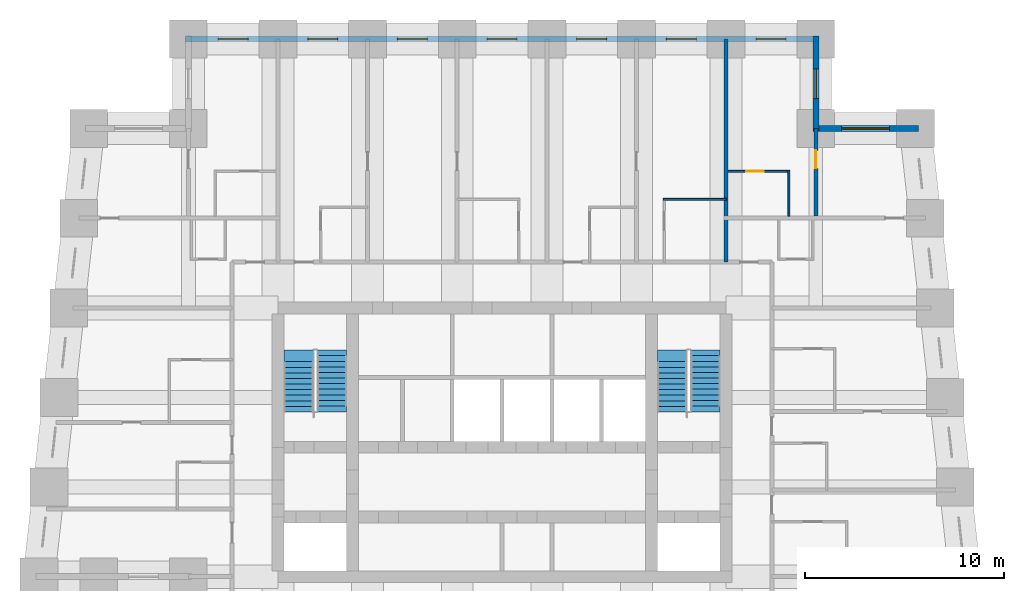
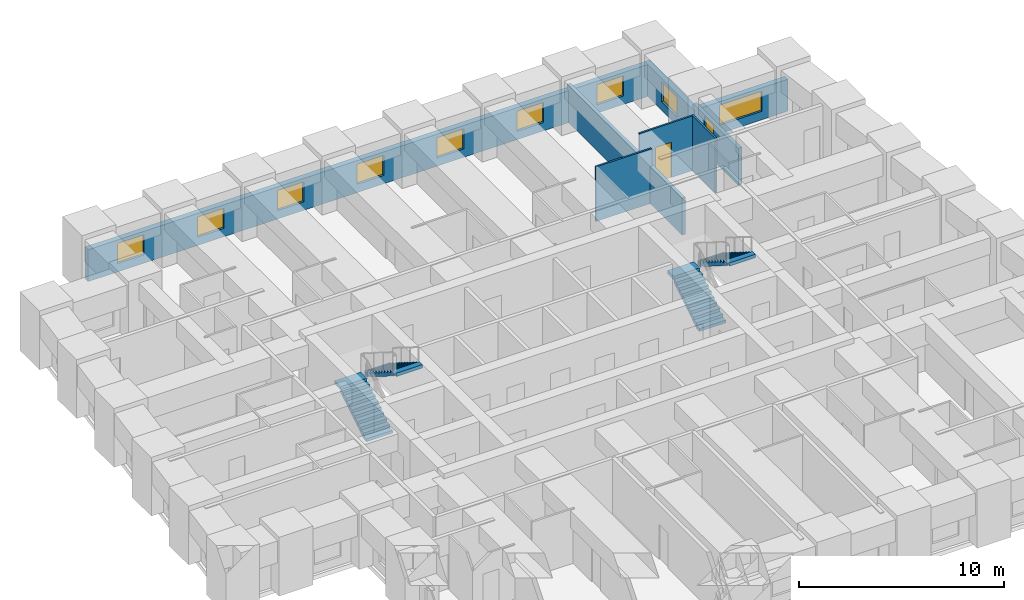
# One storey, part 7 of 8: 9 windows, 8 walls, 4 stair flights, 2 doors, 11 openings, 2 elements without a shape of their own.
"""IFC4 building model written with IfcOpenShell, lengths in metres."""

from ifc_helpers import new_model, si_unit, direction, frame, frame_2d, origin, place, context, subcontext, project, spatial, polyline, rectangle, outline, extrude, material, layer, layer_set, type_object, element, fill, aggregate, save


model = new_model("IFC4")

# Units and contexts
model_context = context("Model", 3, precision=1e-05, world=origin(), true_north=direction((0.0, 1.0)))
body_context = subcontext(model_context, "Body", "Model", "MODEL_VIEW")
ifc_project = project(units=[si_unit("LENGTHUNIT", "METRE"), si_unit("AREAUNIT", "SQUARE_METRE"), si_unit("VOLUMEUNIT", "CUBIC_METRE"), si_unit("PLANEANGLEUNIT", "RADIAN"), si_unit("MASSUNIT", "GRAM", prefix="KILO")], contexts=[model_context])

# Site, building, storey
site_placement = place(None, origin())
site = spatial("IfcSite", under=ifc_project, at=site_placement, CompositionType="ELEMENT")
building_placement = place(site_placement, origin())
building = spatial("IfcBuilding", under=site, at=building_placement, Name="Kilele Tower Hotel", CompositionType="ELEMENT")
storey_placement = place(building_placement, frame((0.0, 0.0, 207.89990234375)))
storey = spatial("IfcBuildingStorey", under=building, at=storey_placement, Name="L54", CompositionType="ELEMENT", Elevation=207.89990234375)

# Walls
ifc_material_1 = material(Name="Moisture-resistant board")
ifc_layer_1 = layer(ifc_material_1, 0.10009765625)
ifc_layer_set_1 = layer_set([ifc_layer_1], Name="Moisture-resistant board")
wall_type_1 = type_object("IfcWallType", Name="Bathroom partition 100", PredefinedType="PLUMBINGWALL", material=ifc_layer_set_1)
wall_1_placement = place(storey_placement, frame((32.85009765625, 32.449951171875, 0.0), z_axis=(0.0, 0.0, 1.0), x_axis=(1.0, 0.0, 0.0)))
element("IfcWall", 1, at=wall_1_placement, inside=storey, type_object=wall_type_1, Name="Bathroom partition 100 L54", PredefinedType="PLUMBINGWALL", context=body_context, shape_type="SweptSolid", body=[
    extrude(rectangle(XDim=3.14990234375, YDim=0.10009765625, at=frame_2d((1.574951171875, 0.0))), origin(), (0.0, 0.0, 1.0), 3.25),
])
wall_2_placement = place(storey_placement, frame((39.14990234375, 31.60009765625, 0.0), z_axis=(0.0, 0.0, 1.0), x_axis=(0.0, 1.0, 0.0)))
element("IfcWall", 2, at=wall_2_placement, inside=storey, type_object=wall_type_1, Name="Bathroom partition 100 L54", PredefinedType="PLUMBINGWALL", context=body_context, shape_type="SweptSolid", body=[
    extrude(rectangle(XDim=2.2998046875, YDim=0.10009765625, at=frame_2d((1.14990234375, 0.0))), origin(), (0.0, 0.0, 1.0), 3.25),
])

# Wall, opening, door
wall_3_placement = place(storey_placement, frame((36.10009765625, 33.85009765625, 0.0), z_axis=(0.0, 0.0, 1.0), x_axis=(1.0, 0.0, 0.0)))
wall_3 = element("IfcWall", 3, at=wall_3_placement, inside=storey, type_object=wall_type_1, Name="Bathroom partition 100 L54", PredefinedType="PLUMBINGWALL", context=body_context, shape_type="SweptSolid", body=[
    extrude(rectangle(XDim=3.099853515625, YDim=0.10009765625, at=frame_2d((1.5498046875, 0.0))), origin(), (0.0, 0.0, 1.0), 3.25),
])
opening_1_placement = place(wall_3_placement, frame((0.89990234375, 0.0, 0.0)))
opening_1 = element("IfcOpeningElement", 4, at=opening_1_placement, cuts=wall_3, Name="Opening D2A", PredefinedType="OPENING", context=body_context, shape_type="SweptSolid", body=[
    extrude(rectangle(XDim=0.89990234375, YDim=2.10009765625, at=frame_2d((0.449951171875, 1.050048828125))), frame((0.0, 0.06005859375, 0.0), z_axis=(0.0, -1.0, 0.0), x_axis=(1.0, 0.0, 0.0)), (0.0, 0.0, 1.0), 0.1201171875),
])
ifc_material_2 = material(Name="Timber door leaf in hardwood frame", Category="wood")
door_type_1 = type_object("IfcDoorType", Name="Bathroom door 900", OperationType="SINGLE_SWING_LEFT", PredefinedType="DOOR", material=ifc_material_2)
door_1_placement = place(opening_1_placement, origin())
door_1 = element("IfcDoor", 5, at=door_1_placement, inside=storey, type_object=door_type_1, Name="Bathroom door 5423B", OperationType="SINGLE_SWING_LEFT", OverallHeight=2.10009765625, OverallWidth=0.89990234375, PredefinedType="DOOR", context=body_context, shape_type="SweptSolid", body=[
    extrude(rectangle(XDim=0.89990234375, YDim=2.10009765625, at=frame_2d((0.449951171875, 1.050048828125))), frame((0.0, 0.02490234375, 0.0), z_axis=(0.0, -1.0, 0.0), x_axis=(1.0, 0.0, 0.0)), (0.0, 0.0, 1.0), 0.050048828125),
])
fill(opening_1, door_1)

ifc_material_3 = material(Name="Blockwork, plastered both sides", Category="masonry")
ifc_layer_2 = layer(ifc_material_3, 0.199951171875)
ifc_layer_set_2 = layer_set([ifc_layer_2], Name="Blockwork, plastered both sides")
wall_type_2 = type_object("IfcWallType", Name="Partition wall 200", PredefinedType="PARTITIONING", material=ifc_layer_set_2)
wall_4_placement = place(storey_placement, frame((40.5, 31.60009765625, 0.0), z_axis=(0.0, 0.0, 1.0), x_axis=(0.0, 1.0, 0.0)))
wall_4 = element("IfcWall", 6, at=wall_4_placement, inside=storey, type_object=wall_type_2, Name="Partition wall 200 L54", PredefinedType="PARTITIONING", context=body_context, shape_type="SweptSolid", body=[
    extrude(rectangle(XDim=4.39990234375, YDim=0.199951171875, at=frame_2d((2.199951171875, 0.0))), origin(), (0.0, 0.0, 1.0), 2.2001953125),
])
opening_2_placement = place(wall_4_placement, frame((2.39990234375, 0.0, 0.0)))
opening_2 = element("IfcOpeningElement", 7, at=opening_2_placement, cuts=wall_4, Name="Opening D3", PredefinedType="OPENING", context=body_context, shape_type="SweptSolid", body=[
    extrude(rectangle(XDim=0.89990234375, YDim=2.10009765625, at=frame_2d((0.449951171875, 1.050048828125))), frame((0.0, 0.10986328125, 0.0), z_axis=(0.0, -1.0, 0.0), x_axis=(1.0, 0.0, 0.0)), (0.0, 0.0, 1.0), 0.219970703125),
])
ifc_material_4 = material(Name="Timber door leaf in hardwood frame", Category="wood")
door_type_2 = type_object("IfcDoorType", Name="Suite internal door 900", OperationType="SINGLE_SWING_LEFT", PredefinedType="DOOR", material=ifc_material_4)
door_2_placement = place(opening_2_placement, origin())
door_2 = element("IfcDoor", 8, at=door_2_placement, inside=storey, type_object=door_type_2, Name="Suite door 5424", OperationType="SINGLE_SWING_RIGHT", OverallHeight=2.10009765625, OverallWidth=0.89990234375, PredefinedType="DOOR", context=body_context, shape_type="SweptSolid", body=[
    extrude(rectangle(XDim=0.89990234375, YDim=2.10009765625, at=frame_2d((0.449951171875, 1.050048828125))), frame((0.0, 0.02490234375, 0.0), z_axis=(0.0, -1.0, 0.0), x_axis=(1.0, 0.0, 0.0)), (0.0, 0.0, 1.0), 0.050048828125),
])
fill(opening_2, door_2)

# Wall
ifc_material_5 = material(Name="Blockwork, plastered both sides", Category="masonry")
ifc_layer_3 = layer(ifc_material_5, 0.199951171875)
ifc_layer_set_3 = layer_set([ifc_layer_3], Name="Blockwork, plastered both sides")
wall_type_3 = type_object("IfcWallType", Name="Party wall 200", PredefinedType="PARTITIONING", material=ifc_layer_set_3)
wall_5_placement = place(storey_placement, frame((36.0, 29.300048828125, 0.0), z_axis=(0.0, 0.0, 1.0), x_axis=(0.0, 1.0, 0.0)))
element("IfcWall", 9, at=wall_5_placement, inside=storey, type_object=wall_type_3, Name="Party wall 200 L54", PredefinedType="PARTITIONING", context=body_context, shape_type="SweptSolid", body=[
    extrude(rectangle(XDim=11.199951171875, YDim=0.199951171875, at=frame_2d((5.60009765625, 0.0))), origin(), (0.0, 0.0, 1.0), 2.2001953125),
])

# Wall, opening, window
ifc_material_6 = material(Name="Concrete C40/50 precast", Category="concrete")
ifc_layer_4 = layer(ifc_material_6, 0.260009765625, Name="Precast backing", Category="LoadBearing")
ifc_material_7 = material(Name="Reconstituted stone finish", Category="masonry")
ifc_layer_5 = layer(ifc_material_7, 0.0400390625, Name="Face mix", Category="Finish")
ifc_layer_set_4 = layer_set([ifc_layer_4, ifc_layer_5], Name="Precast concrete C40/50, reconstituted stone finish")
wall_type_4 = type_object("IfcWallType", Name="Precast stone facade wall 300", PredefinedType="STANDARD", material=ifc_layer_set_4)
wall_6_placement = place(storey_placement, frame((45.64990234375, 36.0, 0.0), z_axis=(0.0, 0.0, 1.0), x_axis=(-1.0, 0.0, 0.0)))
wall_6 = element("IfcWall", 10, at=wall_6_placement, inside=storey, type_object=wall_type_4, Name="Facade wall L54 edge 7", PredefinedType="STANDARD", context=body_context, shape_type="SweptSolid", body=[
    extrude(rectangle(XDim=5.2998046875, YDim=0.300048828125, at=frame_2d((2.64990234375, 0.0))), origin(), (0.0, 0.0, 1.0), 1.900146484375),
])
opening_3_placement = place(wall_6_placement, frame((1.449951171875, 0.0, 0.5)))
opening_3 = element("IfcOpeningElement", 11, at=opening_3_placement, cuts=wall_6, Name="Opening W3", PredefinedType="OPENING", context=body_context, shape_type="SweptSolid", body=[
    extrude(rectangle(XDim=2.39990234375, YDim=1.199951171875, at=frame_2d((1.199951171875, 0.60009765625))), frame((0.0, 0.159912109375, 0.0), z_axis=(0.0, -1.0, 0.0), x_axis=(1.0, 0.0, 0.0)), (0.0, 0.0, 1.0), 0.320068359375),
])
ifc_material_8 = material(Name="Aluminium frame, clear double glazing", Category="aluminium")
window_type_1 = type_object("IfcWindowType", Name="Window W3 2400 x 1200", PartitioningType="SINGLE_PANEL", PredefinedType="WINDOW", material=ifc_material_8)
window_1_placement = place(opening_3_placement, origin())
window_1 = element("IfcWindow", 12, at=window_1_placement, inside=storey, type_object=window_type_1, Name="Window L54", OverallHeight=1.199951171875, OverallWidth=2.39990234375, PartitioningType="SINGLE_PANEL", PredefinedType="WINDOW", context=body_context, shape_type="SweptSolid", body=[
    extrude(rectangle(XDim=2.39990234375, YDim=1.199951171875, at=frame_2d((1.199951171875, 0.60009765625))), frame((0.0, 0.030029296875, 0.0), z_axis=(0.0, -1.0, 0.0), x_axis=(1.0, 0.0, 0.0)), (0.0, 0.0, 1.0), 0.06005859375),
])
fill(opening_3, window_1)

wall_7_placement = place(storey_placement, frame((40.5, 35.85009765625, 0.0), z_axis=(0.0, 0.0, 1.0), x_axis=(0.0, 1.0, 0.0)))
wall_7 = element("IfcWall", 13, at=wall_7_placement, inside=storey, type_object=wall_type_4, Name="Facade wall L54 edge 8", PredefinedType="STANDARD", context=body_context, shape_type="SweptSolid", body=[
    extrude(rectangle(XDim=4.7998046875, YDim=0.300048828125, at=frame_2d((2.39990234375, 0.0))), origin(), (0.0, 0.0, 1.0), 1.900146484375),
])
opening_4_placement = place(wall_7_placement, frame((1.64990234375, 0.0, 0.5)))
opening_4 = element("IfcOpeningElement", 14, at=opening_4_placement, cuts=wall_7, Name="Opening W3", PredefinedType="OPENING", context=body_context, shape_type="SweptSolid", body=[
    extrude(rectangle(XDim=1.5, YDim=1.199951171875, at=frame_2d((0.75, 0.60009765625))), frame((0.0, 0.159912109375, 0.0), z_axis=(0.0, -1.0, 0.0), x_axis=(1.0, 0.0, 0.0)), (0.0, 0.0, 1.0), 0.320068359375),
])
ifc_material_9 = material(Name="Aluminium frame, clear double glazing", Category="aluminium")
window_type_2 = type_object("IfcWindowType", Name="Window W3 1500 x 1200", PartitioningType="SINGLE_PANEL", PredefinedType="WINDOW", material=ifc_material_9)
window_2_placement = place(opening_4_placement, origin())
window_2 = element("IfcWindow", 15, at=window_2_placement, inside=storey, type_object=window_type_2, Name="Window L54", OverallHeight=1.199951171875, OverallWidth=1.5, PartitioningType="SINGLE_PANEL", PredefinedType="WINDOW", context=body_context, shape_type="SweptSolid", body=[
    extrude(rectangle(XDim=1.5, YDim=1.199951171875, at=frame_2d((0.75, 0.60009765625))), frame((0.0, 0.030029296875, 0.0), z_axis=(0.0, -1.0, 0.0), x_axis=(1.0, 0.0, 0.0)), (0.0, 0.0, 1.0), 0.06005859375),
])
fill(opening_4, window_2)

# Wall, openings, windows
wall_8_placement = place(storey_placement, frame((40.64990234375, 40.5, 0.0), z_axis=(0.0, 0.0, 1.0), x_axis=(-1.0, 0.0, 0.0)))
wall_8 = element("IfcWall", 16, at=wall_8_placement, inside=storey, type_object=wall_type_4, Name="Facade wall L54 edge 9", PredefinedType="STANDARD", context=body_context, shape_type="SweptSolid", body=[
    extrude(rectangle(XDim=31.7998046875, YDim=0.300048828125, at=frame_2d((15.89990234375, 0.0))), origin(), (0.0, 0.0, 1.0), 1.900146484375),
])
opening_5_placement = place(wall_8_placement, frame((1.64990234375, 0.0, 0.5)))
opening_5 = element("IfcOpeningElement", 17, at=opening_5_placement, cuts=wall_8, Name="Opening W3", PredefinedType="OPENING", context=body_context, shape_type="SweptSolid", body=[
    extrude(rectangle(XDim=1.5, YDim=1.199951171875, at=frame_2d((0.75, 0.60009765625))), frame((0.0, 0.159912109375, 0.0), z_axis=(0.0, -1.0, 0.0), x_axis=(1.0, 0.0, 0.0)), (0.0, 0.0, 1.0), 0.320068359375),
])
opening_6_placement = place(wall_8_placement, frame((6.14990234375, 0.0, 0.5)))
opening_6 = element("IfcOpeningElement", 18, at=opening_6_placement, cuts=wall_8, Name="Opening W3", PredefinedType="OPENING", context=body_context, shape_type="SweptSolid", body=[
    extrude(rectangle(XDim=1.5, YDim=1.199951171875, at=frame_2d((0.75, 0.60009765625))), frame((0.0, 0.159912109375, 0.0), z_axis=(0.0, -1.0, 0.0), x_axis=(1.0, 0.0, 0.0)), (0.0, 0.0, 1.0), 0.320068359375),
])
opening_7_placement = place(wall_8_placement, frame((10.64990234375, 0.0, 0.5)))
opening_7 = element("IfcOpeningElement", 19, at=opening_7_placement, cuts=wall_8, Name="Opening W3", PredefinedType="OPENING", context=body_context, shape_type="SweptSolid", body=[
    extrude(rectangle(XDim=1.5, YDim=1.199951171875, at=frame_2d((0.75, 0.60009765625))), frame((0.0, 0.159912109375, 0.0), z_axis=(0.0, -1.0, 0.0), x_axis=(1.0, 0.0, 0.0)), (0.0, 0.0, 1.0), 0.320068359375),
])
opening_8_placement = place(wall_8_placement, frame((15.14990234375, 0.0, 0.5)))
opening_8 = element("IfcOpeningElement", 20, at=opening_8_placement, cuts=wall_8, Name="Opening W3", PredefinedType="OPENING", context=body_context, shape_type="SweptSolid", body=[
    extrude(rectangle(XDim=1.5, YDim=1.199951171875, at=frame_2d((0.75, 0.60009765625))), frame((0.0, 0.159912109375, 0.0), z_axis=(0.0, -1.0, 0.0), x_axis=(1.0, 0.0, 0.0)), (0.0, 0.0, 1.0), 0.320068359375),
])
opening_9_placement = place(wall_8_placement, frame((19.64990234375, 0.0, 0.5)))
opening_9 = element("IfcOpeningElement", 21, at=opening_9_placement, cuts=wall_8, Name="Opening W3", PredefinedType="OPENING", context=body_context, shape_type="SweptSolid", body=[
    extrude(rectangle(XDim=1.5, YDim=1.199951171875, at=frame_2d((0.75, 0.60009765625))), frame((0.0, 0.159912109375, 0.0), z_axis=(0.0, -1.0, 0.0), x_axis=(1.0, 0.0, 0.0)), (0.0, 0.0, 1.0), 0.320068359375),
])
opening_10_placement = place(wall_8_placement, frame((24.14990234375, 0.0, 0.5)))
opening_10 = element("IfcOpeningElement", 22, at=opening_10_placement, cuts=wall_8, Name="Opening W3", PredefinedType="OPENING", context=body_context, shape_type="SweptSolid", body=[
    extrude(rectangle(XDim=1.5, YDim=1.199951171875, at=frame_2d((0.75, 0.60009765625))), frame((0.0, 0.159912109375, 0.0), z_axis=(0.0, -1.0, 0.0), x_axis=(1.0, 0.0, 0.0)), (0.0, 0.0, 1.0), 0.320068359375),
])
opening_11_placement = place(wall_8_placement, frame((28.64990234375, 0.0, 0.5)))
opening_11 = element("IfcOpeningElement", 23, at=opening_11_placement, cuts=wall_8, Name="Opening W3", PredefinedType="OPENING", context=body_context, shape_type="SweptSolid", body=[
    extrude(rectangle(XDim=1.5, YDim=1.199951171875, at=frame_2d((0.75, 0.60009765625))), frame((0.0, 0.159912109375, 0.0), z_axis=(0.0, -1.0, 0.0), x_axis=(1.0, 0.0, 0.0)), (0.0, 0.0, 1.0), 0.320068359375),
])
window_3_placement = place(opening_5_placement, origin())
window_3 = element("IfcWindow", 24, at=window_3_placement, inside=storey, type_object=window_type_2, Name="Window L54", OverallHeight=1.199951171875, OverallWidth=1.5, PartitioningType="SINGLE_PANEL", PredefinedType="WINDOW", context=body_context, shape_type="SweptSolid", body=[
    extrude(rectangle(XDim=1.5, YDim=1.199951171875, at=frame_2d((0.75, 0.60009765625))), frame((0.0, 0.030029296875, 0.0), z_axis=(0.0, -1.0, 0.0), x_axis=(1.0, 0.0, 0.0)), (0.0, 0.0, 1.0), 0.06005859375),
])
fill(opening_5, window_3)
window_4_placement = place(opening_6_placement, origin())
window_4 = element("IfcWindow", 25, at=window_4_placement, inside=storey, type_object=window_type_2, Name="Window L54", OverallHeight=1.199951171875, OverallWidth=1.5, PartitioningType="SINGLE_PANEL", PredefinedType="WINDOW", context=body_context, shape_type="SweptSolid", body=[
    extrude(rectangle(XDim=1.5, YDim=1.199951171875, at=frame_2d((0.75, 0.60009765625))), frame((0.0, 0.030029296875, 0.0), z_axis=(0.0, -1.0, 0.0), x_axis=(1.0, 0.0, 0.0)), (0.0, 0.0, 1.0), 0.06005859375),
])
fill(opening_6, window_4)
window_5_placement = place(opening_7_placement, origin())
window_5 = element("IfcWindow", 26, at=window_5_placement, inside=storey, type_object=window_type_2, Name="Window L54", OverallHeight=1.199951171875, OverallWidth=1.5, PartitioningType="SINGLE_PANEL", PredefinedType="WINDOW", context=body_context, shape_type="SweptSolid", body=[
    extrude(rectangle(XDim=1.5, YDim=1.199951171875, at=frame_2d((0.75, 0.60009765625))), frame((0.0, 0.030029296875, 0.0), z_axis=(0.0, -1.0, 0.0), x_axis=(1.0, 0.0, 0.0)), (0.0, 0.0, 1.0), 0.06005859375),
])
fill(opening_7, window_5)
window_6_placement = place(opening_8_placement, origin())
window_6 = element("IfcWindow", 27, at=window_6_placement, inside=storey, type_object=window_type_2, Name="Window L54", OverallHeight=1.199951171875, OverallWidth=1.5, PartitioningType="SINGLE_PANEL", PredefinedType="WINDOW", context=body_context, shape_type="SweptSolid", body=[
    extrude(rectangle(XDim=1.5, YDim=1.199951171875, at=frame_2d((0.75, 0.60009765625))), frame((0.0, 0.030029296875, 0.0), z_axis=(0.0, -1.0, 0.0), x_axis=(1.0, 0.0, 0.0)), (0.0, 0.0, 1.0), 0.06005859375),
])
fill(opening_8, window_6)
window_7_placement = place(opening_9_placement, origin())
window_7 = element("IfcWindow", 28, at=window_7_placement, inside=storey, type_object=window_type_2, Name="Window L54", OverallHeight=1.199951171875, OverallWidth=1.5, PartitioningType="SINGLE_PANEL", PredefinedType="WINDOW", context=body_context, shape_type="SweptSolid", body=[
    extrude(rectangle(XDim=1.5, YDim=1.199951171875, at=frame_2d((0.75, 0.60009765625))), frame((0.0, 0.030029296875, 0.0), z_axis=(0.0, -1.0, 0.0), x_axis=(1.0, 0.0, 0.0)), (0.0, 0.0, 1.0), 0.06005859375),
])
fill(opening_9, window_7)
window_8_placement = place(opening_10_placement, origin())
window_8 = element("IfcWindow", 29, at=window_8_placement, inside=storey, type_object=window_type_2, Name="Window L54", OverallHeight=1.199951171875, OverallWidth=1.5, PartitioningType="SINGLE_PANEL", PredefinedType="WINDOW", context=body_context, shape_type="SweptSolid", body=[
    extrude(rectangle(XDim=1.5, YDim=1.199951171875, at=frame_2d((0.75, 0.60009765625))), frame((0.0, 0.030029296875, 0.0), z_axis=(0.0, -1.0, 0.0), x_axis=(1.0, 0.0, 0.0)), (0.0, 0.0, 1.0), 0.06005859375),
])
fill(opening_10, window_8)
window_9_placement = place(opening_11_placement, origin())
window_9 = element("IfcWindow", 30, at=window_9_placement, inside=storey, type_object=window_type_2, Name="Window L54", OverallHeight=1.199951171875, OverallWidth=1.5, PartitioningType="SINGLE_PANEL", PredefinedType="WINDOW", context=body_context, shape_type="SweptSolid", body=[
    extrude(rectangle(XDim=1.5, YDim=1.199951171875, at=frame_2d((0.75, 0.60009765625))), frame((0.0, 0.030029296875, 0.0), z_axis=(0.0, -1.0, 0.0), x_axis=(1.0, 0.0, 0.0)), (0.0, 0.0, 1.0), 0.06005859375),
])
fill(opening_11, window_9)

# Stair, stair flights
ifc_material_10 = material(Name="Precast concrete C40/50", Category="concrete")
stair_type = type_object("IfcStairType", Name="Stair 1475 x 3500", PredefinedType="HALF_TURN_STAIR", material=ifc_material_10)
stair_1_placement = place(storey_placement, origin())
stair_1 = element("IfcStair", 31, at=stair_1_placement, inside=storey, type_object=stair_type, Name="Stair 1 L54", PredefinedType="HALF_TURN_STAIR")
ifc_material_11 = material(Name="Precast concrete C40/50", Category="concrete")
stair_flight_type = type_object("IfcStairFlightType", Name="Flight 1475 riser 175.0", PredefinedType="STRAIGHT", material=ifc_material_11)
stair_flight_1_placement = place(storey_placement, frame((14.53759765625, 21.77490234375, 0.0), z_axis=(0.0, 0.0, 1.0), x_axis=(0.0, 1.0, 0.0)))
stair_flight_1 = element("IfcStairFlight", 32, at=stair_flight_1_placement, type_object=stair_flight_type, Name="ST1 flight 1", NumberOfRisers=10, NumberOfTreads=9, PredefinedType="STRAIGHT", RiserHeight=0.175, TreadLength=0.28, context=body_context, shape_type="SweptSolid", body=[
    extrude(outline(polyline([(0.0, 0.0), (0.0, 0.175048828125), (0.280029296875, 0.175048828125), (0.280029296875, 0.35009765625), (0.56005859375, 0.35009765625), (0.56005859375, 0.52490234375), (0.840087890625, 0.52490234375), (0.840087890625, 0.699951171875), (1.1201171875, 0.699951171875), (1.1201171875, 0.875), (1.39990234375, 0.875), (1.39990234375, 1.050048828125), (1.679931640625, 1.050048828125), (1.679931640625, 1.22509765625), (1.9599609375, 1.22509765625), (1.9599609375, 1.39990234375), (2.239990234375, 1.39990234375), (2.239990234375, 1.574951171875), (2.52001953125, 1.574951171875), (2.52001953125, 1.75), (2.52001953125, 1.398193359375), (0.28271484375, 0.0), (0.0, 0.0)])), frame((0.0, 0.737548828125, 0.0), z_axis=(0.0, -1.0, 0.0), x_axis=(1.0, 0.0, 0.0)), (0.0, 0.0, 1.0), 1.47509765625),
    extrude(outline(polyline([(2.52001953125, 0.737548828125), (2.52001953125, -0.7373046875), (3.1201171875, -0.7373046875), (3.1201171875, 0.737548828125), (2.52001953125, 0.737548828125)])), frame((0.0, 0.0, 1.550048828125)), (0.0, 0.0, 1.0), 0.199951171875),
])
stair_flight_2_placement = place(storey_placement, frame((16.21240234375, 24.594970703125, 1.75), z_axis=(0.0, 0.0, 1.0), x_axis=(0.0, -1.0, 0.0)))
stair_flight_2 = element("IfcStairFlight", 33, at=stair_flight_2_placement, type_object=stair_flight_type, Name="ST1 flight 2", NumberOfRisers=10, NumberOfTreads=9, PredefinedType="STRAIGHT", RiserHeight=0.175, TreadLength=0.28, context=body_context, shape_type="SweptSolid", body=[
    extrude(outline(polyline([(0.0, 0.0), (0.0, 0.175048828125), (0.280029296875, 0.175048828125), (0.280029296875, 0.35009765625), (0.56005859375, 0.35009765625), (0.56005859375, 0.52490234375), (0.840087890625, 0.52490234375), (0.840087890625, 0.699951171875), (1.1201171875, 0.699951171875), (1.1201171875, 0.875), (1.39990234375, 0.875), (1.39990234375, 1.050048828125), (1.679931640625, 1.050048828125), (1.679931640625, 1.22509765625), (1.9599609375, 1.22509765625), (1.9599609375, 1.39990234375), (2.239990234375, 1.39990234375), (2.239990234375, 1.574951171875), (2.52001953125, 1.574951171875), (2.52001953125, 1.75), (2.52001953125, 1.398193359375), (0.28271484375, 0.0), (0.0, 0.0)])), frame((0.0, 0.737548828125, 0.0), z_axis=(0.0, -1.0, 0.0), x_axis=(1.0, 0.0, 0.0)), (0.0, 0.0, 1.0), 1.47509765625),
    extrude(outline(polyline([(0.0, -0.7373046875), (0.0, 0.737548828125), (-0.300048828125, 0.737548828125), (-0.300048828125, -0.7373046875), (0.0, -0.7373046875)])), frame((0.0, 0.0, -0.199951171875)), (0.0, 0.0, 1.0), 0.199951171875),
    extrude(outline(polyline([(2.820068359375, -0.7373046875), (2.820068359375, 0.737548828125), (2.52001953125, 0.737548828125), (2.52001953125, -0.7373046875), (2.820068359375, -0.7373046875)])), frame((0.0, 0.0, 1.550048828125)), (0.0, 0.0, 1.0), 0.199951171875),
])
aggregate(stair_1, [stair_flight_1, stair_flight_2])

stair_2_placement = place(storey_placement, origin())
stair_2 = element("IfcStair", 34, at=stair_2_placement, inside=storey, type_object=stair_type, Name="Stair 2 L54", PredefinedType="HALF_TURN_STAIR")
stair_flight_3_placement = place(storey_placement, frame((33.28759765625, 21.77490234375, 0.0), z_axis=(0.0, 0.0, 1.0), x_axis=(0.0, 1.0, 0.0)))
stair_flight_3 = element("IfcStairFlight", 35, at=stair_flight_3_placement, type_object=stair_flight_type, Name="ST2 flight 1", NumberOfRisers=10, NumberOfTreads=9, PredefinedType="STRAIGHT", RiserHeight=0.175, TreadLength=0.28, context=body_context, shape_type="SweptSolid", body=[
    extrude(outline(polyline([(0.0, 0.0), (0.0, 0.175048828125), (0.280029296875, 0.175048828125), (0.280029296875, 0.35009765625), (0.56005859375, 0.35009765625), (0.56005859375, 0.52490234375), (0.840087890625, 0.52490234375), (0.840087890625, 0.699951171875), (1.1201171875, 0.699951171875), (1.1201171875, 0.875), (1.39990234375, 0.875), (1.39990234375, 1.050048828125), (1.679931640625, 1.050048828125), (1.679931640625, 1.22509765625), (1.9599609375, 1.22509765625), (1.9599609375, 1.39990234375), (2.239990234375, 1.39990234375), (2.239990234375, 1.574951171875), (2.52001953125, 1.574951171875), (2.52001953125, 1.75), (2.52001953125, 1.398193359375), (0.28271484375, 0.0), (0.0, 0.0)])), frame((0.0, 0.737548828125, 0.0), z_axis=(0.0, -1.0, 0.0), x_axis=(1.0, 0.0, 0.0)), (0.0, 0.0, 1.0), 1.47509765625),
    extrude(outline(polyline([(2.52001953125, 0.737548828125), (2.52001953125, -0.7373046875), (3.1201171875, -0.7373046875), (3.1201171875, 0.737548828125), (2.52001953125, 0.737548828125)])), frame((0.0, 0.0, 1.550048828125)), (0.0, 0.0, 1.0), 0.199951171875),
])
stair_flight_4_placement = place(storey_placement, frame((34.96240234375, 24.594970703125, 1.75), z_axis=(0.0, 0.0, 1.0), x_axis=(0.0, -1.0, 0.0)))
stair_flight_4 = element("IfcStairFlight", 36, at=stair_flight_4_placement, type_object=stair_flight_type, Name="ST2 flight 2", NumberOfRisers=10, NumberOfTreads=9, PredefinedType="STRAIGHT", RiserHeight=0.175, TreadLength=0.28, context=body_context, shape_type="SweptSolid", body=[
    extrude(outline(polyline([(0.0, 0.0), (0.0, 0.175048828125), (0.280029296875, 0.175048828125), (0.280029296875, 0.35009765625), (0.56005859375, 0.35009765625), (0.56005859375, 0.52490234375), (0.840087890625, 0.52490234375), (0.840087890625, 0.699951171875), (1.1201171875, 0.699951171875), (1.1201171875, 0.875), (1.39990234375, 0.875), (1.39990234375, 1.050048828125), (1.679931640625, 1.050048828125), (1.679931640625, 1.22509765625), (1.9599609375, 1.22509765625), (1.9599609375, 1.39990234375), (2.239990234375, 1.39990234375), (2.239990234375, 1.574951171875), (2.52001953125, 1.574951171875), (2.52001953125, 1.75), (2.52001953125, 1.398193359375), (0.28271484375, 0.0), (0.0, 0.0)])), frame((0.0, 0.737548828125, 0.0), z_axis=(0.0, -1.0, 0.0), x_axis=(1.0, 0.0, 0.0)), (0.0, 0.0, 1.0), 1.47509765625),
    extrude(outline(polyline([(0.0, -0.7373046875), (0.0, 0.737548828125), (-0.300048828125, 0.737548828125), (-0.300048828125, -0.7373046875), (0.0, -0.7373046875)])), frame((0.0, 0.0, -0.199951171875)), (0.0, 0.0, 1.0), 0.199951171875),
    extrude(outline(polyline([(2.820068359375, -0.7373046875), (2.820068359375, 0.737548828125), (2.52001953125, 0.737548828125), (2.52001953125, -0.7373046875), (2.820068359375, -0.7373046875)])), frame((0.0, 0.0, 1.550048828125)), (0.0, 0.0, 1.0), 0.199951171875),
])
aggregate(stair_2, [stair_flight_3, stair_flight_4])

save(model, "model.ifc")
